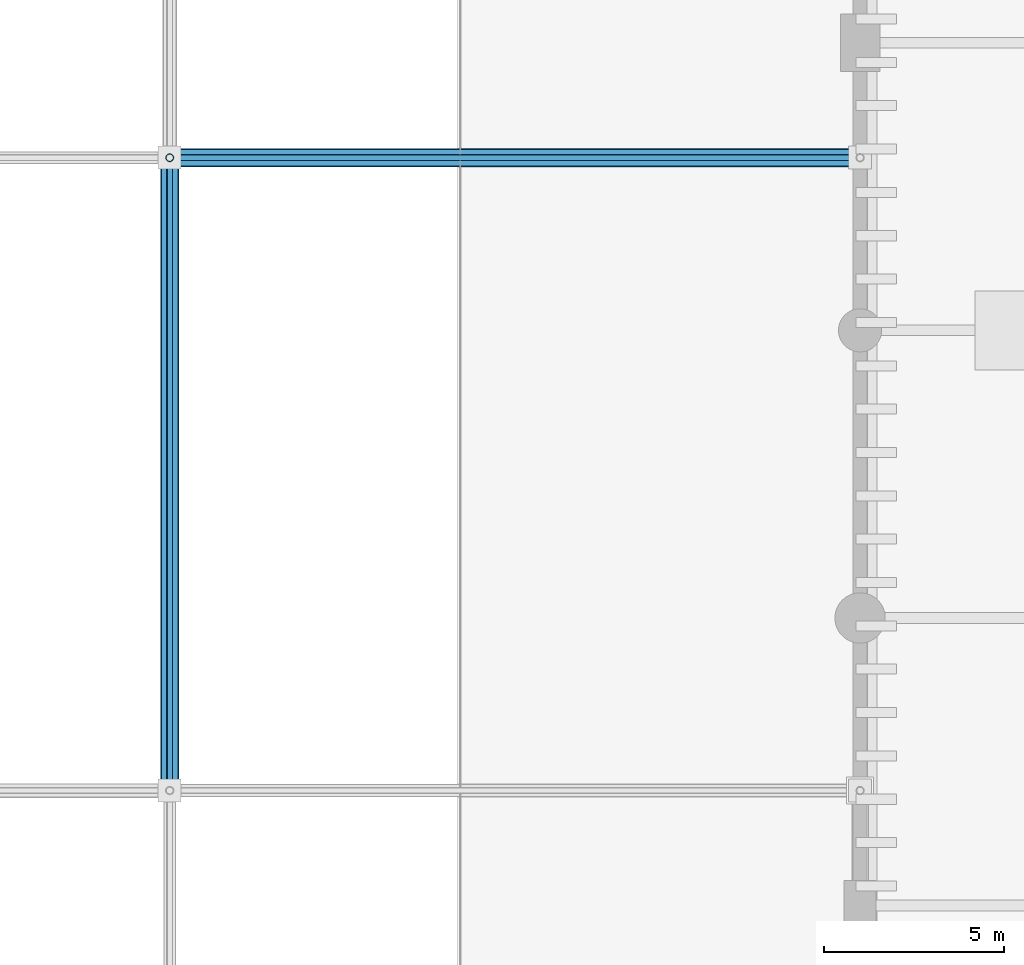
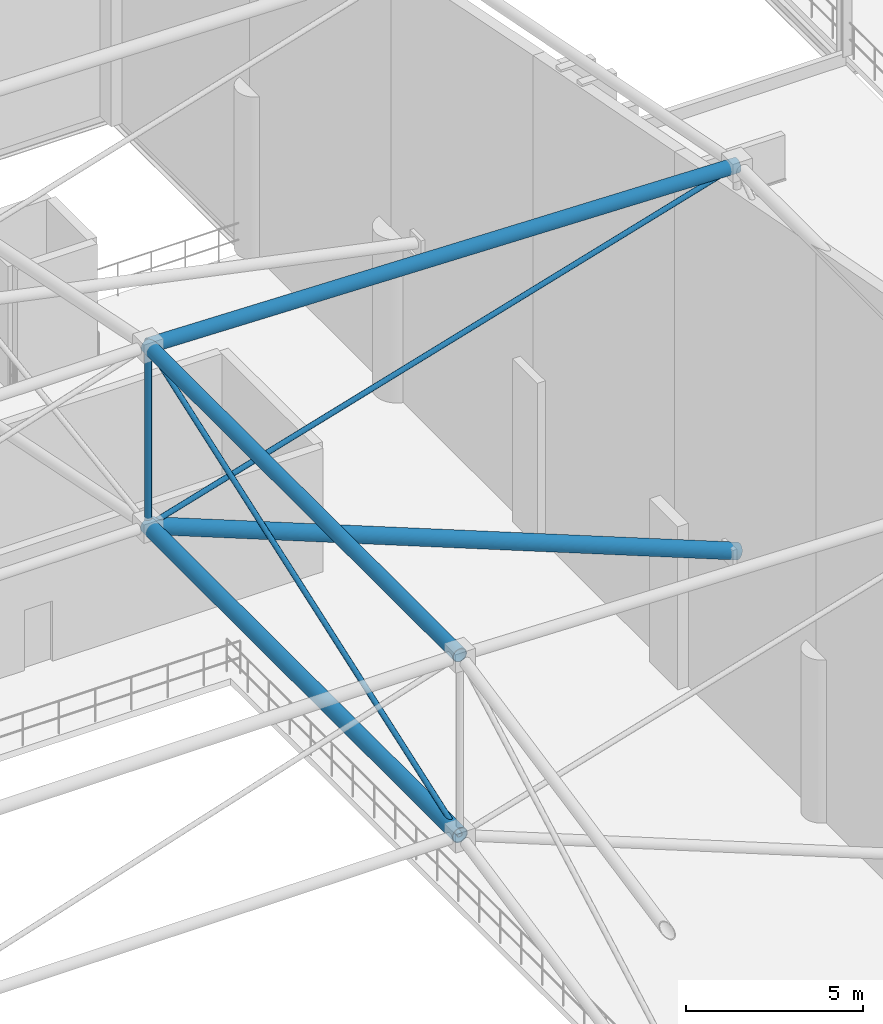
# One storey, part 69 of 193: 7 members.
"""IFC4 building model written with IfcOpenShell, lengths in metres."""

from ifc_helpers import new_model, si_unit, direction, frame, origin, origin_2d, place, context, subcontext, project, spatial, hollow_circle, extrude, material, material_profile, profile_set, type_object, element, save


model = new_model("IFC4")

# Units and contexts
model_context = context("Model", 3, precision=1e-05, world=origin(), true_north=direction((0.0, 1.0)))
body_context = subcontext(model_context, "Body", "Model", "MODEL_VIEW")
ifc_project = project(units=[si_unit("LENGTHUNIT", "METRE"), si_unit("AREAUNIT", "SQUARE_METRE"), si_unit("VOLUMEUNIT", "CUBIC_METRE"), si_unit("PLANEANGLEUNIT", "RADIAN"), si_unit("MASSUNIT", "GRAM", prefix="KILO")], contexts=[model_context])

# Site, building, storey
site_placement = place(None, origin())
site = spatial("IfcSite", under=ifc_project, at=site_placement, CompositionType="ELEMENT")
building_placement = place(site_placement, origin())
building = spatial("IfcBuilding", under=site, at=building_placement, Name="Danafjord Basin Convention Centre", CompositionType="ELEMENT")
storey_placement = place(building_placement, frame((0.0, 0.0, 11.39990234375)))
storey = spatial("IfcBuildingStorey", under=building, at=storey_placement, Name="L02", CompositionType="ELEMENT", Elevation=11.39990234375)

# Members
ifc_material = material(Name="Steel S355", Category="steel")
ifc_material_profile_1 = material_profile(ifc_material, hollow_circle(Radius=0.228515625, WallThickness=0.02001953125, at=origin_2d()), Name="CHS 457.0x20.0")
ifc_profile_set_1 = profile_set([ifc_material_profile_1], Name="Steel S355")
member_type_1 = type_object("IfcMemberType", Name="MEM-CH-CHS457", PredefinedType="CHORD", material=ifc_profile_set_1)
member_1_placement = place(storey_placement, frame((96.0, 91.199951171875, 19.85546875), z_axis=(0.0, 1.0, 0.0), x_axis=(-1.0, 0.0, 0.0)))
element("IfcMember", 1, at=member_1_placement, inside=storey, type_object=member_type_1, Name="V1 roof truss transverse top chord", PredefinedType="CHORD", context=body_context, shape_type="SweptSolid", body=[
    extrude(hollow_circle(Radius=0.228515625, WallThickness=0.02001953125, at=origin_2d()), origin(), (0.0, 0.0, 1.0), 17.60009765625),
])
member_2_placement = place(storey_placement, frame((96.0, 108.800048828125, 19.85546875), z_axis=(0.999667997744, 0.0, -0.025766146147), x_axis=(0.0, 1.0, 0.0)))
element("IfcMember", 2, at=member_2_placement, inside=storey, type_object=member_type_1, Name="V1 roof truss longitudinal top chord", PredefinedType="CHORD", context=body_context, shape_type="SweptSolid", body=[
    extrude(hollow_circle(Radius=0.228515625, WallThickness=0.02001953125, at=origin_2d()), origin(), (0.0, 0.0, 1.0), 19.206298828125),
])
ifc_material_profile_2 = material_profile(ifc_material, hollow_circle(Radius=0.25390625, WallThickness=0.02490234375, at=origin_2d()), Name="CHS 508.0x25.0")
ifc_profile_set_2 = profile_set([ifc_material_profile_2], Name="Steel S355")
member_type_2 = type_object("IfcMemberType", Name="MEM-CH-CHS508", PredefinedType="CHORD", material=ifc_profile_set_2)
member_3_placement = place(storey_placement, frame((96.0, 91.199951171875, 13.655517578125), z_axis=(0.0, 1.0, 0.0), x_axis=(-1.0, 0.0, 0.0)))
element("IfcMember", 3, at=member_3_placement, inside=storey, type_object=member_type_2, Name="V1 roof truss transverse bottom chord", PredefinedType="CHORD", context=body_context, shape_type="SweptSolid", body=[
    extrude(hollow_circle(Radius=0.25390625, WallThickness=0.02490234375, at=origin_2d()), origin(), (0.0, 0.0, 1.0), 17.60009765625),
])
member_4_placement = place(storey_placement, frame((96.0, 108.800048828125, 13.655517578125), z_axis=(0.929715641975, 0.0, -0.368278189779), x_axis=(0.0, 1.0, 0.0)))
element("IfcMember", 4, at=member_4_placement, inside=storey, type_object=member_type_2, Name="V1 roof truss longitudinal bottom chord", PredefinedType="CHORD", context=body_context, shape_type="SweptSolid", body=[
    extrude(hollow_circle(Radius=0.25390625, WallThickness=0.02490234375, at=origin_2d()), origin(), (0.0, 0.0, 1.0), 20.6513671875),
])
ifc_material_profile_3 = material_profile(ifc_material, hollow_circle(Radius=0.109619140625, WallThickness=0.010009765625, at=origin_2d()), Name="CHS 219.1x10.0")
ifc_profile_set_3 = profile_set([ifc_material_profile_3], Name="Steel S355")
member_type_3 = type_object("IfcMemberType", Name="MEM-ST-CHS219", PredefinedType="STRUT", material=ifc_profile_set_3)
member_5_placement = place(storey_placement, frame((96.0, 108.800048828125, 13.655517578125), z_axis=(0.0, 0.0, 1.0), x_axis=(1.0, 0.0, 0.0)))
element("IfcMember", 5, at=member_5_placement, inside=storey, type_object=member_type_3, Name="V1 roof truss vertical strut", PredefinedType="STRUT", context=body_context, shape_type="SweptSolid", body=[
    extrude(hollow_circle(Radius=0.109619140625, WallThickness=0.010009765625, at=origin_2d()), origin(), (0.0, 0.0, 1.0), 6.199951171875),
])
ifc_material_profile_4 = material_profile(ifc_material, hollow_circle(Radius=0.084228515625, WallThickness=0.008056640625, at=origin_2d()), Name="CHS 168.3x8.0")
ifc_profile_set_4 = profile_set([ifc_material_profile_4], Name="Steel S355")
member_type_4 = type_object("IfcMemberType", Name="MEM-WB-CHS168", PredefinedType="MEMBER", material=ifc_profile_set_4)
member_6_placement = place(storey_placement, frame((96.0, 91.199951171875, 13.655517578125), z_axis=(0.0, 0.943189436311, 0.33225545478), x_axis=(-1.0, 0.0, 0.0)))
element("IfcMember", 6, at=member_6_placement, inside=storey, type_object=member_type_4, Name="V1 space-frame transverse web", PredefinedType="MEMBER", context=body_context, shape_type="SweptSolid", body=[
    extrude(hollow_circle(Radius=0.084228515625, WallThickness=0.008056640625, at=origin_2d()), origin(), (0.0, 0.0, 1.0), 18.66015625),
])
member_7_placement = place(storey_placement, frame((96.0, 108.800048828125, 13.655517578125), z_axis=(0.958577469769, 0.0, 0.284831940714), x_axis=(0.0, 1.0, 0.0)))
element("IfcMember", 7, at=member_7_placement, inside=storey, type_object=member_type_4, Name="V1 space-frame longitudinal web", PredefinedType="MEMBER", context=body_context, shape_type="SweptSolid", body=[
    extrude(hollow_circle(Radius=0.084228515625, WallThickness=0.008056640625, at=origin_2d()), origin(), (0.0, 0.0, 1.0), 20.029541015625),
])

save(model, "model.ifc")
